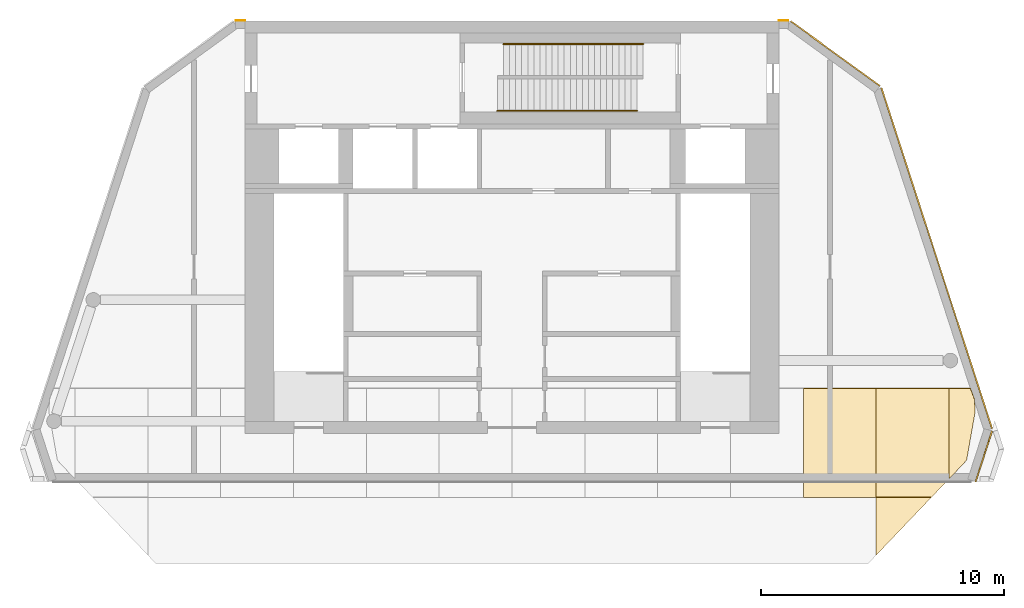
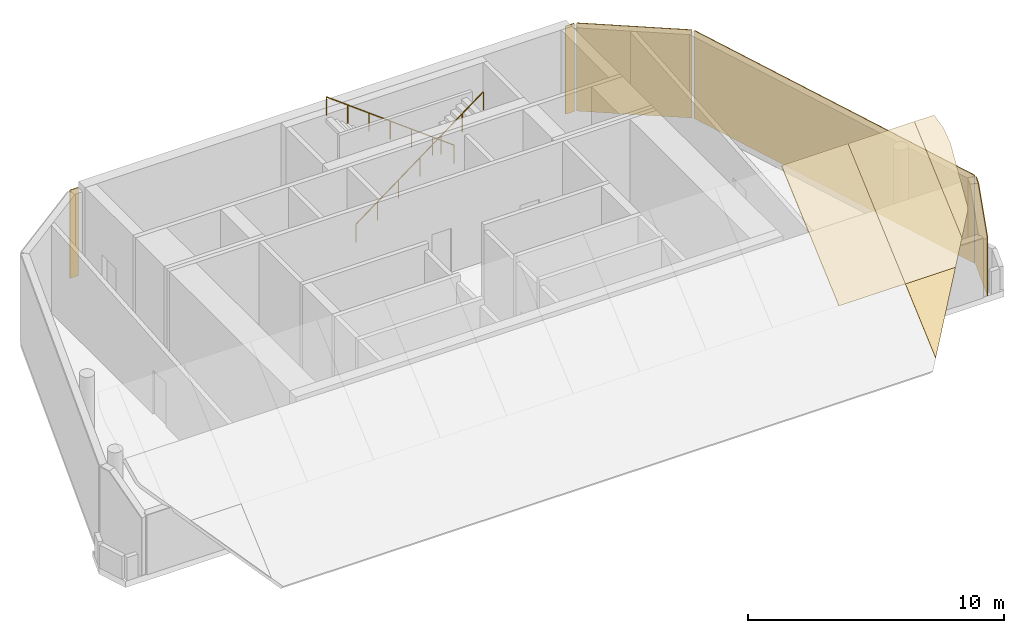
# One storey, part 5 of 5: 9 coverings, 2 railings.
"""IFC4 building model written with IfcOpenShell, lengths in metres."""

import ifcopenshell
import ifcopenshell.guid

model = None  # the IFC model being written
_history = None  # IfcOwnerHistory: only IFC2X3 demands one
_inside = {}  # id of a spatial element -> (the spatial element, [elements in it])
_under = {}  # id of a project, library or spatial element -> (it, [spatial elements below it])
_declared = {}  # id of a project -> (the project, [libraries it declares])
_typed = {}  # id of a type object -> (the type object, [elements of that type])
_made_of = {}  # id of a material, layer set ... -> (it, [elements and type objects made of it])


def new_model(schema):
    """Start an empty IFC model of exactly this schema.

    Asked for "IFC4X3", IfcOpenShell would pick the latest addendum, in which some entities
    have other attributes; the version numbers below select the first issue.
    IFC2X3 requires an IfcOwnerHistory on every rooted entity: one is made here for all.
    """
    global model, _history
    if schema == "IFC4X3":
        model = ifcopenshell.file(schema_version=(4, 3, 0, 0))
    else:
        model = ifcopenshell.file(schema=schema)
    _inside.clear()
    _under.clear()
    _declared.clear()
    _typed.clear()
    _made_of.clear()
    _history = None
    if model.schema == "IFC2X3":
        org = make("IfcOrganization", Name="unknown")
        user = make(
            "IfcPersonAndOrganization",
            ThePerson=make("IfcPerson", FamilyName="unknown"),
            TheOrganization=org,
        )
        app = make(
            "IfcApplication",
            ApplicationDeveloper=org,
            Version="unknown",
            ApplicationFullName="unknown",
            ApplicationIdentifier="unknown",
        )
        _history = make(
            "IfcOwnerHistory",
            OwningUser=user,
            OwningApplication=app,
            ChangeAction="ADDED",
            CreationDate=0,
        )
    return model


def make(cls, **values):
    """One entity of the class cls with the attributes given. An attribute that is None is left unset."""
    return model.create_entity(
        cls, **{name: value for name, value in values.items() if value is not None}
    )


def rooted(cls, **values):
    """An entity with a GlobalId (a new one), such as an element, a storey or a relation."""
    return make(cls, GlobalId=ifcopenshell.guid.new(), OwnerHistory=_history, **values)


def si_unit(unit_type, name, prefix=None):
    """IfcSIUnit, for example si_unit("LENGTHUNIT", "METRE", prefix="MILLI")."""
    return make("IfcSIUnit", UnitType=unit_type, Prefix=prefix, Name=name)


def assignment(units):
    """IfcUnitAssignment: the units of a project."""
    return None if units is None else make("IfcUnitAssignment", Units=units)


def point(xyz):
    """IfcCartesianPoint."""
    return None if xyz is None else make("IfcCartesianPoint", Coordinates=xyz)


def direction(xyz):
    """IfcDirection."""
    return None if xyz is None else make("IfcDirection", DirectionRatios=xyz)


def frame(location, z_axis=None, x_axis=None):
    """IfcAxis2Placement3D, a coordinate frame: its origin and axes. An axis left out is left unset."""
    return make(
        "IfcAxis2Placement3D",
        Location=point(location),
        Axis=direction(z_axis),
        RefDirection=direction(x_axis),
    )


def frame_2d(location, x_axis=None):
    """IfcAxis2Placement2D, a coordinate frame in the plane: its origin and x axis."""
    return make(
        "IfcAxis2Placement2D", Location=point(location), RefDirection=direction(x_axis)
    )


def origin():
    """The frame at (0, 0, 0) with its axes left unset."""
    return frame((0.0, 0.0, 0.0))


def origin_2d():
    """The frame at (0, 0) in the plane with its x axis left unset."""
    return frame_2d((0.0, 0.0))


def place(relative_to, where):
    """IfcLocalPlacement: puts the frame where relative to a parent placement (None: the world)."""
    return make(
        "IfcLocalPlacement", PlacementRelTo=relative_to, RelativePlacement=where
    )


def context(
    kind, dimensions, precision=None, world=None, true_north=None, identifier=None
):
    """IfcGeometricRepresentationContext, for example the 3D "Model" context."""
    return make(
        "IfcGeometricRepresentationContext",
        ContextIdentifier=identifier,
        ContextType=kind,
        CoordinateSpaceDimension=dimensions,
        Precision=precision,
        WorldCoordinateSystem=world,
        TrueNorth=true_north,
    )


def subcontext(parent, identifier, kind, view, scale=None):
    """IfcGeometricRepresentationSubContext, for example "Body" below "Model"."""
    return make(
        "IfcGeometricRepresentationSubContext",
        ContextIdentifier=identifier,
        ContextType=kind,
        ParentContext=parent,
        TargetScale=scale,
        TargetView=view,
    )


def project(units=None, contexts=None):
    """IfcProject with its units and contexts."""
    return rooted(
        "IfcProject",
        Name="project",
        RepresentationContexts=contexts,
        UnitsInContext=assignment(units),
    )


def spatial(cls, under=None, at=None, **own):
    """A site, building, storey or space (cls), placed at a placement, below another one or the project."""
    s = rooted(cls, ObjectPlacement=at, **own)
    if under is not None:
        _under.setdefault(under.id(), (under, []))[1].append(s)
    return s


def polyline(points):
    """IfcPolyline through the points."""
    return make("IfcPolyline", Points=[point(p) for p in points])


def profile(cls, at=None, kind="AREA", **sizes):
    """A parametric profile (cls). Its sizes go by their IFC names, for example OverallWidth=200.0."""
    return make(cls, ProfileType=kind, Position=at, **sizes)


def circle(**sizes):
    """IfcCircleProfileDef."""
    return profile("IfcCircleProfileDef", **sizes)


def outline(outer, holes=None, kind="AREA"):
    """IfcArbitraryClosedProfileDef: a profile drawn as a closed curve; with holes, ...WithVoids."""
    if holes is None:
        return make("IfcArbitraryClosedProfileDef", ProfileType=kind, OuterCurve=outer)
    return make(
        "IfcArbitraryProfileDefWithVoids",
        ProfileType=kind,
        OuterCurve=outer,
        InnerCurves=holes,
    )


def extrude(swept, where, along, depth):
    """IfcExtrudedAreaSolid: the profile swept, set in the frame where, extruded along a direction by depth."""
    return make(
        "IfcExtrudedAreaSolid",
        SweptArea=swept,
        Position=where,
        ExtrudedDirection=direction(along),
        Depth=depth,
    )


def shape(context_of_items, identifier, shape_type, items):
    """IfcShapeRepresentation: the items that make up one representation, for example the "Body"."""
    return make(
        "IfcShapeRepresentation",
        ContextOfItems=context_of_items,
        RepresentationIdentifier=identifier,
        RepresentationType=shape_type,
        Items=items,
    )


def material(Name=None, Category=None):
    """IfcMaterial."""
    return make("IfcMaterial", Name=Name, Category=Category)


def layer(
    of_material, thickness, ventilated=None, Name=None, Category=None, Priority=None
):
    """IfcMaterialLayer: one layer of a wall or slab, of a material (None: an air gap)."""
    return make(
        "IfcMaterialLayer",
        Material=of_material,
        LayerThickness=thickness,
        IsVentilated=ventilated,
        Name=Name,
        Category=Category,
        Priority=Priority,
    )


def layer_set(layers, Name=None):
    """IfcMaterialLayerSet."""
    return make("IfcMaterialLayerSet", MaterialLayers=layers, LayerSetName=Name)


def made_of(thing, what):
    """Note that an element or type object is made of a material, layer set ...; save() writes the relation."""
    if what is not None:
        _made_of.setdefault(what.id(), (what, []))[1].append(thing)
    return thing


def type_object(cls, material=None, **own):
    """A type object (cls), such as IfcWallType, which elements share."""
    return made_of(rooted(cls, **own), material)


def element(
    cls,
    number,
    at=None,
    inside=None,
    cuts=None,
    type_object=None,
    material=None,
    context=None,
    identifier="Body",
    shape_type=None,
    held_by="IfcProductDefinitionShape",
    body=None,
    shapes=None,
    **own,
):
    """One element of the class cls, such as IfcWall. Its Tag is "e" and its number.

    at: its placement. inside: the storey or other place that contains it. cuts: it is an
    opening in that element (IfcRelVoidsElement). A single representation is given by context,
    identifier, shape_type and body (its items); several are given by shapes. held_by: the class
    of the entity that holds the representations. save() writes the other relations.
    """
    e = rooted(cls, Tag="e%d" % number, ObjectPlacement=at, **own)
    if body is not None:
        shapes = [shape(context, identifier, shape_type, body)]
    if shapes is not None:
        e.Representation = make(held_by, Representations=shapes)
    if inside is not None:
        _inside.setdefault(inside.id(), (inside, []))[1].append(e)
    if cuts is not None:
        rooted(
            "IfcRelVoidsElement", RelatingBuildingElement=cuts, RelatedOpeningElement=e
        )
    if type_object is not None:
        _typed.setdefault(type_object.id(), (type_object, []))[1].append(e)
    return made_of(e, material)


def aggregate(whole, parts):
    """IfcRelAggregates: a whole, such as a stair, and the parts it consists of."""
    return rooted("IfcRelAggregates", RelatingObject=whole, RelatedObjects=parts)


def save(model, path):
    """Write the relations noted so far, then the file.

    IfcRelAggregates (storeys below a building ...), IfcRelContainedInSpatialStructure (elements
    in a storey), IfcRelDefinesByType, IfcRelAssociatesMaterial and IfcRelDeclares: one each for
    every whole, place, type object, material and project.
    """
    for whole, parts in _under.values():
        aggregate(whole, parts)
    for where, things in _inside.values():
        rooted(
            "IfcRelContainedInSpatialStructure",
            RelatedElements=things,
            RelatingStructure=where,
        )
    for kind, things in _typed.values():
        rooted("IfcRelDefinesByType", RelatedObjects=things, RelatingType=kind)
    for what, things in _made_of.values():
        rooted("IfcRelAssociatesMaterial", RelatedObjects=things, RelatingMaterial=what)
    for by, libraries in _declared.values():
        rooted("IfcRelDeclares", RelatingContext=by, RelatedDefinitions=libraries)
    model.write(path)


model = new_model("IFC4")

# Units and contexts
model_context = context("Model", 3, precision=1e-05, world=origin(), true_north=direction((0.0, 1.0)))
body_context = subcontext(model_context, "Body", "Model", "MODEL_VIEW")
ifc_project = project(units=[si_unit("LENGTHUNIT", "METRE"), si_unit("AREAUNIT", "SQUARE_METRE"), si_unit("VOLUMEUNIT", "CUBIC_METRE"), si_unit("PLANEANGLEUNIT", "RADIAN"), si_unit("MASSUNIT", "GRAM", prefix="KILO")], contexts=[model_context])

# Site, building, storey
site_placement = place(None, origin())
site = spatial("IfcSite", under=ifc_project, at=site_placement, CompositionType="ELEMENT")
building_placement = place(site_placement, origin())
building = spatial("IfcBuilding", under=site, at=building_placement, Name="White Candle Pilgrim Tower", CompositionType="ELEMENT")
storey_placement = place(building_placement, frame((0.0, 0.0, 342.199951171875)))
storey = spatial("IfcBuildingStorey", under=building, at=storey_placement, Name="L80", CompositionType="ELEMENT", Elevation=342.199951171875)

# Coverings
ifc_material_1 = material(Name="Zinc standing seam")
ifc_layer_1 = layer(ifc_material_1, 0.050048828125)
ifc_layer_set_1 = layer_set([ifc_layer_1], Name="Roof covering CL2 zinc standing seam 50")
covering_type_1 = type_object("IfcCoveringType", Name="Roof covering CL2 zinc standing seam 50", PredefinedType="ROOFING", material=ifc_layer_set_1)
covering_1_placement = place(storey_placement, frame((85.0, 68.360107421875, 2.41015625), z_axis=(1.120385e-06, -0.662948290463, 0.748665188299), x_axis=(0.999999999999, 7.42757e-07, -8.38793e-07)))
element("IfcCovering", 1, at=covering_1_placement, inside=storey, type_object=covering_type_1, Name="Roof covering 32", PredefinedType="ROOFING", context=body_context, shape_type="SweptSolid", body=[
    extrude(outline(polyline([(0.0, 0.0), (2.265624999998578, 0.0), (1.8278808593774958, -0.6124209547527484), (1.350585937601418, -1.2803541833997603), (0.8732910156205566, -1.9481255594367959), (0.3959960936396951, -2.6158969354738315), (-2.842184785464583e-12, -3.170027631779597), (0.0, 0.0)])), origin(), (0.0, 0.0, -1.0), 0.050048828125),
])
covering_2_placement = place(storey_placement, frame((82.0, 68.360107421875, 2.41015625), z_axis=(0.0, -0.66291797017, 0.748692036038), x_axis=(0.0, 0.748692036038, 0.66291797017)))
element("IfcCovering", 2, at=covering_2_placement, inside=storey, type_object=covering_type_1, Name="Roof covering 44", PredefinedType="ROOFING", context=body_context, shape_type="SweptSolid", body=[
    extrude(outline(polyline([(0.0, 0.0), (6.000047127220721, 0.0), (6.000047127220721, -3.0), (0.0, -3.0), (0.0, 0.0)])), origin(), (0.0, 0.0, -1.0), 0.050048828125),
])
covering_3_placement = place(storey_placement, frame((85.0, 68.360107421875, 2.41015625), z_axis=(1.569362e-06, -0.662918740743, 0.748691353742), x_axis=(2e-12, 0.748691353743, 0.662918740744)))
element("IfcCovering", 3, at=covering_3_placement, inside=storey, type_object=covering_type_1, Name="Roof covering 45", PredefinedType="ROOFING", context=body_context, shape_type="SweptSolid", body=[
    extrude(outline(polyline([(0.0, 0.0), (6.0000471272175435, 0.0), (6.000047127222389, -2.9999999999963056), (1.0275072613138714, -2.99999999999774), (0.7232836497663275, -2.7824707030912665), (0.055350425113100316, -2.3051757813974496), (3.659508187175364e-12, -2.26562499999721), (0.0, 0.0)])), origin(), (0.0, 0.0, -1.0), 0.050048828125),
])
covering_4_placement = place(storey_placement, frame((88.0, 72.852294921875, 6.3876953125), z_axis=(0.000105240335, -0.66293192844, 0.74867966927), x_axis=(0.999999994462, 6.9767179e-05, -7.87913e-05)))
element("IfcCovering", 4, at=covering_4_placement, inside=storey, type_object=covering_type_1, Name="Roof covering 46", PredefinedType="ROOFING", context=body_context, shape_type="SweptSolid", body=[
    extrude(outline(polyline([(0.0, 0.0), (0.8867187450895608, 0.0), (1.0541992211062292, -0.6020401333322777), (1.0820312437656847, -1.269811511280269), (0.9941406300521421, -1.9377447378444983), (0.9060058564787945, -2.60551611579249), (0.8181152427652518, -3.2734493423567192), (0.7299804691919042, -3.9412207203047105), (0.2597656196094257, -4.608992098252703), (-9.662848476877858e-09, -4.972539865062604), (0.0, 0.0)])), origin(), (0.0, 0.0, -1.0), 0.050048828125),
])

# Railings
ifc_material_2 = material(Name="Stainless steel", Category="steel")
railing_type = type_object("IfcRailingType", Name="Stair handrail stainless steel", PredefinedType="HANDRAIL", material=ifc_material_2)
railing_1_placement = place(storey_placement, frame((69.39990234375, 84.300048828125, 0.1875)))
element("IfcRailing", 5, at=railing_1_placement, inside=storey, type_object=railing_type, Name="L80 ST12 stair handrail 1", PredefinedType="HANDRAIL", context=body_context, shape_type="SweptSolid", body=[
    extrude(circle(Radius=0.02392578125, at=origin_2d()), frame((0.0, 0.0, 0.8759765625), z_axis=(0.8, 0.0, 0.6), x_axis=(0.0, 1.0, 0.0)), (0.0, 0.0, 1.0), 7.1875),
    extrude(circle(Radius=0.02099609375, at=origin_2d()), origin(), (0.0, 0.0, 1.0), 0.851806640625),
    extrude(circle(Radius=0.02099609375, at=origin_2d()), frame((0.958251953125, 0.0, 0.71875)), (0.0, 0.0, 1.0), 0.851806640625),
    extrude(circle(Radius=0.02099609375, at=origin_2d()), frame((1.916748046875, 0.0, 1.4375)), (0.0, 0.0, 1.0), 0.851806640625),
    extrude(circle(Radius=0.02099609375, at=origin_2d()), frame((2.875, 0.0, 2.15625)), (0.0, 0.0, 1.0), 0.851806640625),
    extrude(circle(Radius=0.02099609375, at=origin_2d()), frame((3.833251953125, 0.0, 2.875)), (0.0, 0.0, 1.0), 0.851806640625),
    extrude(circle(Radius=0.02099609375, at=origin_2d()), frame((4.791748046875, 0.0, 3.59375)), (0.0, 0.0, 1.0), 0.851806640625),
    extrude(circle(Radius=0.02099609375, at=origin_2d()), frame((5.75, 0.0, 4.3125)), (0.0, 0.0, 1.0), 0.851806640625),
])
railing_2_placement = place(storey_placement, frame((75.39990234375, 87.050048828125, 0.1875)))
element("IfcRailing", 6, at=railing_2_placement, inside=storey, type_object=railing_type, Name="L80 ST12 stair handrail 1", PredefinedType="HANDRAIL", context=body_context, shape_type="SweptSolid", body=[
    extrude(circle(Radius=0.02392578125, at=origin_2d()), frame((0.0, 0.0, 0.8759765625), z_axis=(-0.8, 0.0, 0.6), x_axis=(0.0, -1.0, 0.0)), (0.0, 0.0, 1.0), 7.1875),
    extrude(circle(Radius=0.02099609375, at=origin_2d()), origin(), (0.0, 0.0, 1.0), 0.851806640625),
    extrude(circle(Radius=0.02099609375, at=origin_2d()), frame((-0.958251953125, 0.0, 0.71875)), (0.0, 0.0, 1.0), 0.851806640625),
    extrude(circle(Radius=0.02099609375, at=origin_2d()), frame((-1.916748046875, 0.0, 1.4375)), (0.0, 0.0, 1.0), 0.851806640625),
    extrude(circle(Radius=0.02099609375, at=origin_2d()), frame((-2.875, 0.0, 2.15625)), (0.0, 0.0, 1.0), 0.851806640625),
    extrude(circle(Radius=0.02099609375, at=origin_2d()), frame((-3.833251953125, 0.0, 2.875)), (0.0, 0.0, 1.0), 0.851806640625),
    extrude(circle(Radius=0.02099609375, at=origin_2d()), frame((-4.791748046875, 0.0, 3.59375)), (0.0, 0.0, 1.0), 0.851806640625),
    extrude(circle(Radius=0.02099609375, at=origin_2d()), frame((-5.75, 0.0, 4.3125)), (0.0, 0.0, 1.0), 0.851806640625),
])

# Coverings
ifc_layer_2 = layer(ifc_material_1, 0.0400390625)
ifc_layer_set_2 = layer_set([ifc_layer_2], Name="Zinc wall cladding CL3 40")
covering_type_2 = type_object("IfcCoveringType", Name="Zinc wall cladding CL3 40", PredefinedType="CLADDING", material=ifc_layer_set_2)
covering_5_placement = place(storey_placement, frame((89.080810546875, 69.0263671875, 2.743896484375), z_axis=(-0.951068838942, 0.308979066091, 1.7633531e-05), x_axis=(0.236359339734, 0.727501211469, 0.644108880417)))
element("IfcCovering", 7, at=covering_5_placement, inside=storey, type_object=covering_type_2, Name="Zinc wall cladding L80 E chamfer", PredefinedType="CLADDING", context=body_context, shape_type="SweptSolid", body=[
    extrude(outline(polyline([(0.0, 0.0), (2.2605722944184725, 0.0), (2.6120254059699337, 0.29593942151728103), (-0.09320044115171933, 3.5086241176420407), (-1.7673680925303876, 2.0988992210513384), (0.0, 0.0)])), origin(), (0.0, 0.0, -1.0), 0.0400390625),
])
covering_6_placement = place(storey_placement, frame((89.757080078125, 71.206787109375, 4.199951171875), z_axis=(-0.951057311571, -0.309014546757, 0.0), x_axis=(-0.309014546757, 0.951057311571, 0.0)))
element("IfcCovering", 8, at=covering_6_placement, inside=storey, type_object=covering_type_2, Name="Zinc wall cladding L80 ENE", PredefinedType="CLADDING", context=body_context, shape_type="SweptSolid", body=[
    extrude(outline(polyline([(0.0, 0.0), (14.741765297735325, 0.0), (14.741765297735325, 4.199951171875), (0.0, 4.199951171875), (0.0, 0.0)])), origin(), (0.0, 0.0, -1.0), 0.0400390625),
])
covering_7_placement = place(storey_placement, frame((85.1435546875, 85.30712890625, 4.199951171875), z_axis=(-0.587771023186, -0.809027332235, 0.0), x_axis=(-0.809027332235, 0.587771023186, 0.0)))
element("IfcCovering", 9, at=covering_7_placement, inside=storey, type_object=covering_type_2, Name="Zinc wall cladding L80 NE chamfer", PredefinedType="CLADDING", context=body_context, shape_type="SweptSolid", body=[
    extrude(outline(polyline([(0.0, 0.0), (4.529575992355221, 0.0), (4.529575992355221, 4.199951171874999), (0.0, 4.199951171874999), (0.0, 0.0)])), origin(), (0.0, 0.0, -1.0), 0.0400390625),
])
for number, where, z_axis, x_axis, name in (
    (10, (81.385009765625, 88.0, 4.199951171875), (0.0, -1.0, 0.0), (-1.0, 0.0, 0.0), "Zinc wall cladding L80 N"),
    (11, (59.0, 88.0, 4.199951171875), (0.0, -1.0, 0.0), (-1.0, 0.0, 0.0), "Zinc wall cladding L80 N"),
):
    element("IfcCovering", number, at=place(storey_placement, frame(where, z_axis=z_axis, x_axis=x_axis)), inside=storey, type_object=covering_type_2, Name=name, PredefinedType="CLADDING", context=body_context, shape_type="SweptSolid", body=[
        extrude(outline(polyline([(0.0, 0.0), (0.385009765625, 0.0), (0.385009765625, 4.199951171875), (0.0, 4.199951171875), (0.0, 0.0)])), origin(), (0.0, 0.0, -1.0), 0.0400390625),
    ])

save(model, "model.ifc")
